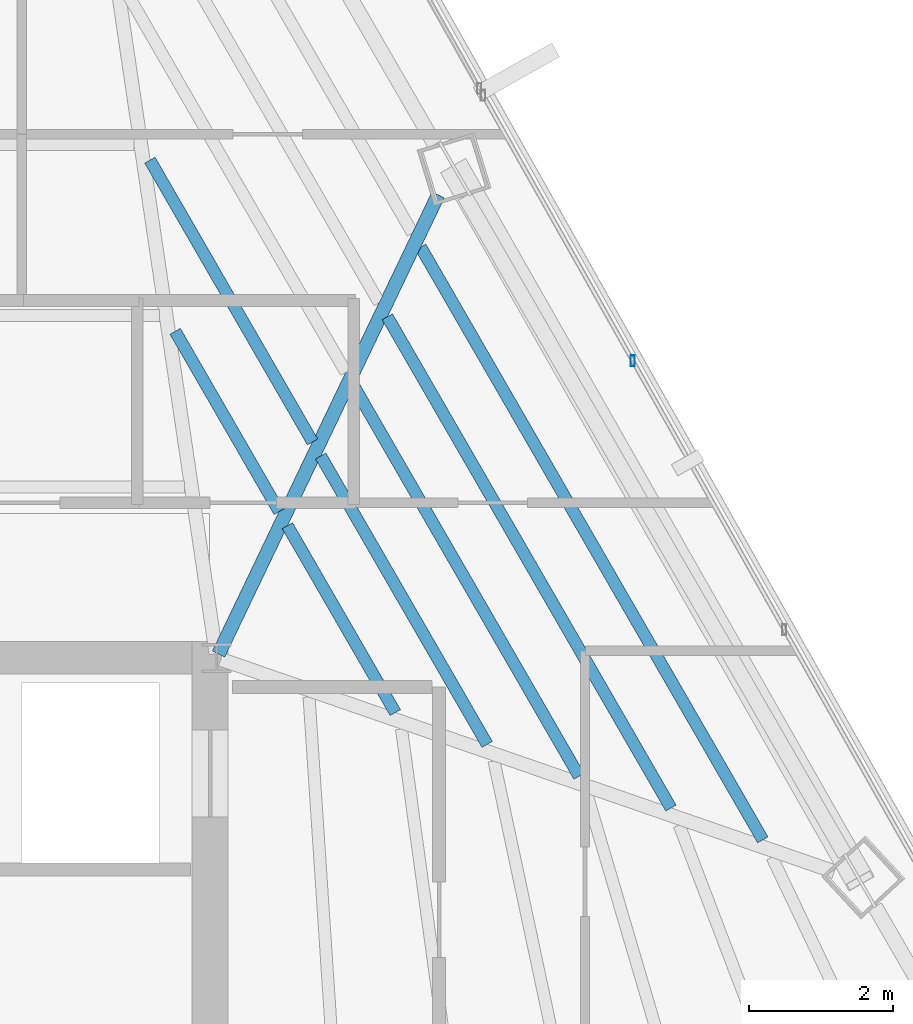
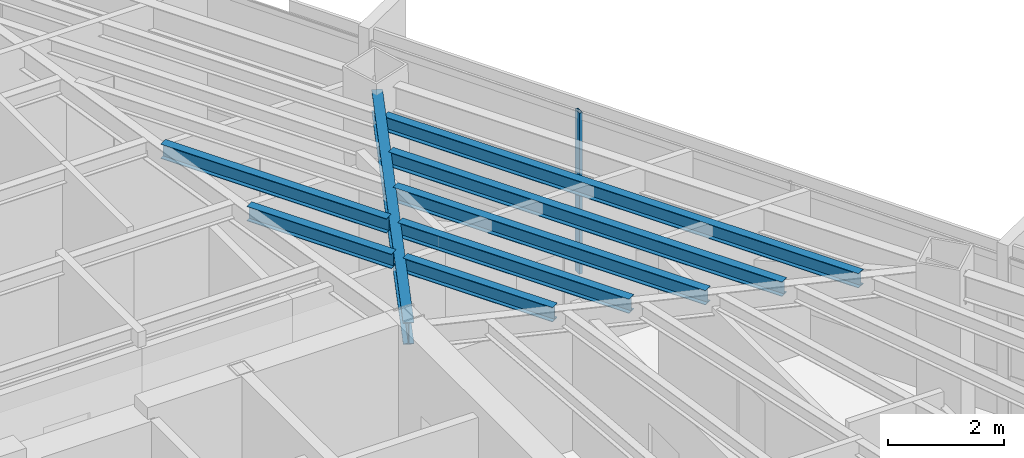
# One storey, part 25 of 42: 8 beams, 1 member, 1 element without a shape of its own.
"""IFC4 building model written with IfcOpenShell, lengths in metres."""

from ifc_helpers import new_model, si_unit, direction, frame, origin, origin_2d, place, context, subcontext, project, spatial, hollow_rectangle, i_section, extrude, source, transform, mapped, material, material_profile, profile_set, type_object, type_shapes, element, aggregate, save


model = new_model("IFC4")

# Units and contexts
model_context = context("Model", 3, precision=1e-05, world=origin(), true_north=direction((0.0, 1.0)))
body_context = subcontext(model_context, "Body", "Model", "MODEL_VIEW")
ifc_project = project(units=[si_unit("LENGTHUNIT", "METRE"), si_unit("AREAUNIT", "SQUARE_METRE"), si_unit("VOLUMEUNIT", "CUBIC_METRE"), si_unit("PLANEANGLEUNIT", "RADIAN"), si_unit("MASSUNIT", "GRAM", prefix="KILO")], contexts=[model_context])

# Site, building, storey
site_placement = place(None, origin())
site = spatial("IfcSite", under=ifc_project, at=site_placement, CompositionType="ELEMENT")
building_placement = place(site_placement, origin())
building = spatial("IfcBuilding", under=site, at=building_placement, Name="Caelisora Broadcast Tower", CompositionType="ELEMENT")
storey_placement = place(building_placement, frame((0.0, 0.0, 202.300048828125)))
storey = spatial("IfcBuildingStorey", under=building, at=storey_placement, Name="L53", CompositionType="ELEMENT", Elevation=202.300048828125)

# Beams
ifc_material_1 = material(Name="Steel Grade 350 (AS/NZS 3679.1)", Category="steel")
ifc_material_profile_1 = material_profile(ifc_material_1, i_section(OverallWidth=0.19091796875, OverallDepth=0.46044921875, WebThickness=0.010009765625, FlangeThickness=0.01611328125, at=origin_2d()), Name="Steel Grade 350 (AS/NZS 3679.1)")
ifc_profile_set_1 = profile_set([ifc_material_profile_1], Name="Steel Grade 350 (AS/NZS 3679.1)")
beam_type_1 = type_object("IfcBeamType", Name="PG06", PredefinedType="BEAM", material=ifc_profile_set_1)
shared_shape_1 = source(origin(), body_context, "Body", "SweptSolid", [
    extrude(i_section(OverallWidth=0.19091796875, OverallDepth=0.46044921875, WebThickness=0.010009765625, FlangeThickness=0.01611328125, at=origin_2d()), origin(), (0.0, 0.0, 1.0), 7.047607421875),
])
type_shapes(beam_type_1, [shared_shape_1])
beam_1_placement = place(storey_placement, frame((45.52587890625, 30.05419921875, 3.169677734375), z_axis=(0.431529042418, 0.902099044202, 0.0), x_axis=(-0.902099044202, 0.431529042418, 0.0)))
element("IfcBeam", 1, at=beam_1_placement, inside=storey, type_object=beam_type_1, Name="L53 beam PG06", PredefinedType="BEAM", context=body_context, shape_type="MappedRepresentation", body=[
    mapped(shared_shape_1, transform((0.0, 0.0, 0.0), scale=1.0)),
])
ifc_material_profile_2 = material_profile(ifc_material_1, i_section(OverallWidth=0.166015625, OverallDepth=0.30712890625, WebThickness=0.006591796875, FlangeThickness=0.01171875, at=origin_2d()), Name="Steel Grade 350 (AS/NZS 3679.1)")
ifc_profile_set_2 = profile_set([ifc_material_profile_2], Name="Steel Grade 350 (AS/NZS 3679.1)")
beam_type_2 = type_object("IfcBeamType", Name="SB03", PredefinedType="JOIST", material=ifc_profile_set_2)
shared_shape_2 = source(origin(), body_context, "Body", "SweptSolid", [
    extrude(i_section(OverallWidth=0.166015625, OverallDepth=0.30712890625, WebThickness=0.006591796875, FlangeThickness=0.01171875, at=origin_2d()), origin(), (0.0, 0.0, 1.0), 2.88330078125),
])
beam_2_placement = place(storey_placement, frame((46.3662109375, 32.026611328125, 3.246337890625), z_axis=(-0.499991201234, 0.866030483695, 0.0), x_axis=(-0.866030483695, -0.499991201234, 0.0)))
element("IfcBeam", 2, at=beam_2_placement, inside=storey, type_object=beam_type_2, Name="L53 beam SB03", PredefinedType="JOIST", context=body_context, shape_type="MappedRepresentation", body=[
    mapped(shared_shape_2, transform((0.0, 0.0, 0.0), scale=1.0)),
])
shared_shape_3 = source(origin(), body_context, "Body", "SweptSolid", [
    extrude(i_section(OverallWidth=0.166015625, OverallDepth=0.30712890625, WebThickness=0.006591796875, FlangeThickness=0.01171875, at=origin_2d()), origin(), (0.0, 0.0, 1.0), 4.506103515625),
])
beam_3_placement = place(storey_placement, frame((46.82763671875, 32.990966796875, 3.246337890625), z_axis=(-0.499985098601, 0.86603400694, 0.0), x_axis=(-0.86603400694, -0.499985098601, 0.0)))
element("IfcBeam", 3, at=beam_3_placement, inside=storey, type_object=beam_type_2, Name="L53 beam SB03", PredefinedType="JOIST", context=body_context, shape_type="MappedRepresentation", body=[
    mapped(shared_shape_3, transform((0.0, 0.0, 0.0), scale=1.0)),
])
shared_shape_4 = source(origin(), body_context, "Body", "SweptSolid", [
    extrude(i_section(OverallWidth=0.166015625, OverallDepth=0.30712890625, WebThickness=0.006591796875, FlangeThickness=0.01171875, at=origin_2d()), origin(), (0.0, 0.0, 1.0), 2.989013671875),
])
beam_4_placement = place(storey_placement, frame((47.9736328125, 29.24267578125, 3.246337890625), z_axis=(-0.500021752, 0.866012844897, 0.0), x_axis=(-0.866012844897, -0.500021752, 0.0)))
element("IfcBeam", 4, at=beam_4_placement, inside=storey, type_object=beam_type_2, Name="L53 beam SB03", PredefinedType="JOIST", context=body_context, shape_type="MappedRepresentation", body=[
    mapped(shared_shape_4, transform((0.0, 0.0, 0.0), scale=1.0)),
])
shared_shape_5 = source(origin(), body_context, "Body", "SweptSolid", [
    extrude(i_section(OverallWidth=0.166015625, OverallDepth=0.30712890625, WebThickness=0.006591796875, FlangeThickness=0.01171875, at=origin_2d()), origin(), (0.0, 0.0, 1.0), 4.611328125),
])
beam_5_placement = place(storey_placement, frame((49.24609375, 28.802001953125, 3.246337890625), z_axis=(-0.499988258513, 0.866032182629, 0.0), x_axis=(-0.866032182629, -0.499988258513, 0.0)))
element("IfcBeam", 5, at=beam_5_placement, inside=storey, type_object=beam_type_2, Name="L53 beam SB03", PredefinedType="JOIST", context=body_context, shape_type="MappedRepresentation", body=[
    mapped(shared_shape_5, transform((0.0, 0.0, 0.0), scale=1.0)),
])
shared_shape_6 = source(origin(), body_context, "Body", "SweptSolid", [
    extrude(i_section(OverallWidth=0.166015625, OverallDepth=0.30712890625, WebThickness=0.006591796875, FlangeThickness=0.01171875, at=origin_2d()), origin(), (0.0, 0.0, 1.0), 6.233642578125),
])
beam_6_placement = place(storey_placement, frame((50.5185546875, 28.361572265625, 3.246337890625), z_axis=(-0.50001853021, 0.866014705099, 0.0), x_axis=(-0.866014705099, -0.50001853021, 0.0)))
element("IfcBeam", 6, at=beam_6_placement, inside=storey, type_object=beam_type_2, Name="L53 beam SB03", PredefinedType="JOIST", context=body_context, shape_type="MappedRepresentation", body=[
    mapped(shared_shape_6, transform((0.0, 0.0, 0.0), scale=1.0)),
])
shared_shape_7 = source(origin(), body_context, "Body", "SweptSolid", [
    extrude(i_section(OverallWidth=0.166015625, OverallDepth=0.30712890625, WebThickness=0.006591796875, FlangeThickness=0.01171875, at=origin_2d()), origin(), (0.0, 0.0, 1.0), 7.856201171875),
])
beam_7_placement = place(storey_placement, frame((51.791015625, 27.9208984375, 3.246337890625), z_axis=(-0.499986078503, 0.866033441215, 0.0), x_axis=(-0.866033441215, -0.499986078503, 0.0)))
element("IfcBeam", 7, at=beam_7_placement, inside=storey, type_object=beam_type_2, Name="L53 beam SB03", PredefinedType="JOIST", context=body_context, shape_type="MappedRepresentation", body=[
    mapped(shared_shape_7, transform((0.0, 0.0, 0.0), scale=1.0)),
])
shared_shape_8 = source(origin(), body_context, "Body", "SweptSolid", [
    extrude(i_section(OverallWidth=0.166015625, OverallDepth=0.30712890625, WebThickness=0.006591796875, FlangeThickness=0.01171875, at=origin_2d()), origin(), (0.0, 0.0, 1.0), 9.478271484375),
])
type_shapes(beam_type_2, [shared_shape_2, shared_shape_3, shared_shape_4, shared_shape_5, shared_shape_6, shared_shape_7, shared_shape_8])
beam_8_placement = place(storey_placement, frame((53.0634765625, 27.48046875, 3.246337890625), z_axis=(-0.499987042086, 0.866032884911, 0.0), x_axis=(-0.866032884911, -0.499987042086, 0.0)))
element("IfcBeam", 8, at=beam_8_placement, inside=storey, type_object=beam_type_2, Name="L53 beam SB03", PredefinedType="JOIST", context=body_context, shape_type="MappedRepresentation", body=[
    mapped(shared_shape_8, transform((0.0, 0.0, 0.0), scale=1.0)),
])

# Curtain wall, member
ifc_material_2 = material(Name="Unitised Aluminium Insulated Shadow-Box Spandrel Curtain Wall", Category="aluminium")
curtain_wall_type = type_object("IfcCurtainWallType", Name="CW-SP2", PredefinedType="NOTDEFINED", material=ifc_material_2)
curtain_wall_placement = place(storey_placement, origin())
curtain_wall = element("IfcCurtainWall", 9, at=curtain_wall_placement, inside=storey, type_object=curtain_wall_type, Name="L53 curtain wall CW-SP2", PredefinedType="NOTDEFINED")
ifc_material_3 = material(Name="Aluminium 6063-T6 Anodised Terracotta Bronze", Category="aluminium")
ifc_material_profile_3 = material_profile(ifc_material_3, hollow_rectangle(XDim=0.06005859375, YDim=0.14990234375, WallThickness=0.00341796875, at=origin_2d()), Name="Aluminium 6063-T6 Anodised Terracotta Bronze")
ifc_profile_set_3 = profile_set([ifc_material_profile_3], Name="Aluminium 6063-T6 Anodised Terracotta Bronze")
member_type = type_object("IfcMemberType", Name="CWM-03", PredefinedType="MULLION", material=ifc_profile_set_3)
shared_shape_9 = source(origin(), body_context, "Body", "SweptSolid", [
    extrude(hollow_rectangle(XDim=0.06005859375, YDim=0.14990234375, WallThickness=0.00341796875, at=origin_2d()), origin(), (0.0, 0.0, 1.0), 3.39990234375),
])
type_shapes(member_type, [shared_shape_9])
member_placement = place(storey_placement, frame((51.26220703125, 34.11328125, 0.0), z_axis=(0.0, 0.0, 1.0), x_axis=(1.0, 0.0, 0.0)))
member = element("IfcMember", 10, at=member_placement, type_object=member_type, Name="L53-CW-B02 mullion #1", PredefinedType="MULLION", context=body_context, shape_type="MappedRepresentation", body=[
    mapped(shared_shape_9, transform((0.0, 0.0, 0.0), scale=1.0)),
])
aggregate(curtain_wall, [member])

save(model, "model.ifc")
